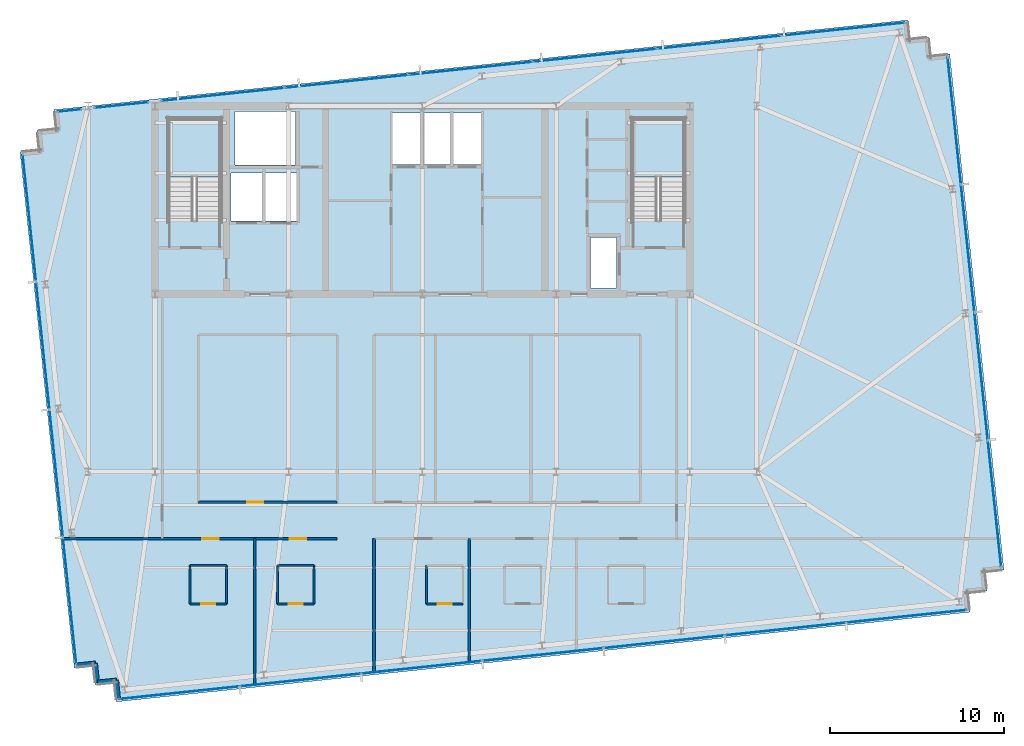
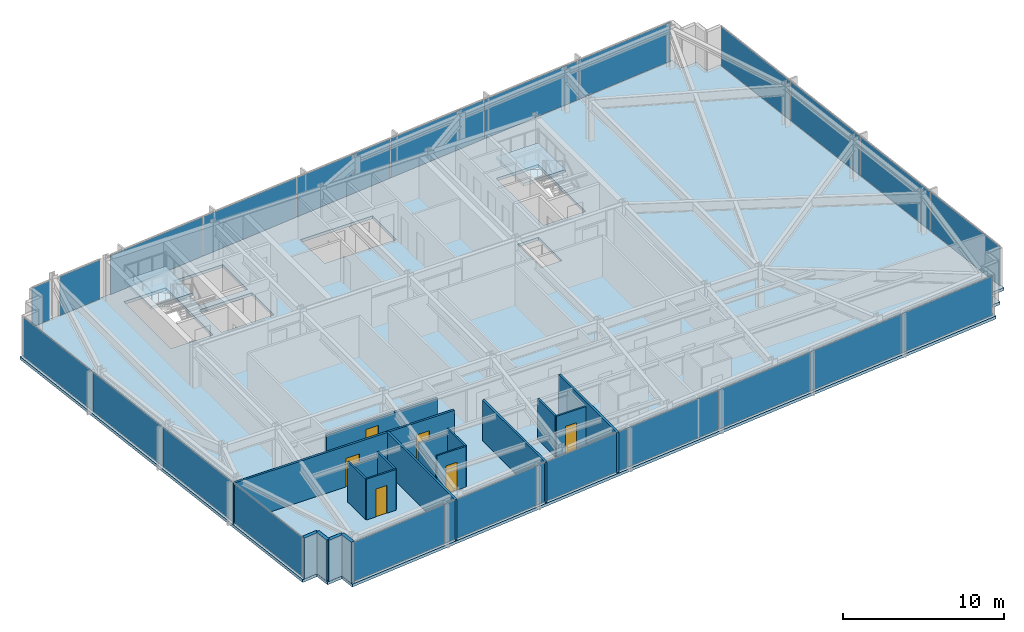
# One storey, part 26 of 33: 23 plates, 19 walls, 6 doors, 3 slabs, 6 openings, 8 elements without a shape of their own.
"""IFC4 building model written with IfcOpenShell, lengths in metres."""

from ifc_helpers import new_model, si_unit, direction, frame, frame_2d, origin, origin_2d, place, context, subcontext, project, spatial, polyline, rectangle, outline, extrude, material, layer, layer_set, type_object, element, fill, aggregate, save


model = new_model("IFC4")

# Units and contexts
model_context = context("Model", 3, precision=1e-05, world=origin(), true_north=direction((0.0, 1.0)))
body_context = subcontext(model_context, "Body", "Model", "MODEL_VIEW")
ifc_project = project(units=[si_unit("LENGTHUNIT", "METRE"), si_unit("AREAUNIT", "SQUARE_METRE"), si_unit("VOLUMEUNIT", "CUBIC_METRE"), si_unit("PLANEANGLEUNIT", "RADIAN"), si_unit("MASSUNIT", "GRAM", prefix="KILO")], contexts=[model_context])

# Site, building, storey
site_placement = place(None, origin())
site = spatial("IfcSite", under=ifc_project, at=site_placement, CompositionType="ELEMENT")
building_placement = place(site_placement, origin())
building = spatial("IfcBuilding", under=site, at=building_placement, Name="Yelkora Congress Tower", CompositionType="ELEMENT")
storey_placement = place(building_placement, frame((0.0, 0.0, 230.89990234375)))
storey = spatial("IfcBuildingStorey", under=building, at=storey_placement, Name="L64", CompositionType="ELEMENT", Elevation=230.89990234375)

# Curtain wall, plates
ifc_material_1 = material(Name="Anodised aluminium and insulated glass", Category="aluminium")
curtain_wall_type = type_object("IfcCurtainWallType", Name="CW-SYS-B4", PredefinedType="NOTDEFINED", material=ifc_material_1)
curtain_wall_1_placement = place(storey_placement, origin())
curtain_wall_1 = element("IfcCurtainWall", 1, at=curtain_wall_1_placement, inside=storey, type_object=curtain_wall_type, Name="L64 Unitised Curtain Wall 5", PredefinedType="NOTDEFINED")
ifc_material_2 = material(Name="Triple-silver diplomatic glass unit B4", Category="glass")
ifc_layer_1 = layer(ifc_material_2, 0.035888671875)
ifc_layer_set_1 = layer_set([ifc_layer_1], Name="Triple-silver diplomatic glass unit B4")
plate_type = type_object("IfcPlateType", Name="PLT-PN-B4", PredefinedType="CURTAIN_PANEL", material=ifc_layer_set_1)
plate_1_placement = place(storey_placement, frame((18.139404296875, 17.7724609375, 0.06005859375), z_axis=(0.0, 0.0, 1.0), x_axis=(-0.104526079034, 0.994522145958, 0.0)))
plate_1 = element("IfcPlate", 2, at=plate_1_placement, type_object=plate_type, Name="CW-B4 panel 1.1", PredefinedType="CURTAIN_PANEL", context=body_context, shape_type="SweptSolid", body=[
    extrude(rectangle(XDim=7.282470703125, YDim=0.035888671875, at=origin_2d()), origin(), (0.0, 0.0, 1.0), 2.9599609375),
])
plate_2_placement = place(storey_placement, frame((17.36962890625, 25.095703125, 0.06005859375), z_axis=(0.0, 0.0, 1.0), x_axis=(-0.104526079034, 0.994522145958, 0.0)))
plate_2 = element("IfcPlate", 3, at=plate_2_placement, type_object=plate_type, Name="CW-B4 panel 2.1", PredefinedType="CURTAIN_PANEL", context=body_context, shape_type="SweptSolid", body=[
    extrude(rectangle(XDim=7.31494140625, YDim=0.035888671875, at=origin_2d()), origin(), (0.0, 0.0, 1.0), 2.9599609375),
])
plate_3_placement = place(storey_placement, frame((16.59814453125, 32.435302734375, 0.06005859375), z_axis=(0.0, 0.0, 1.0), x_axis=(-0.104526079034, 0.994522145958, 0.0)))
plate_3 = element("IfcPlate", 4, at=plate_3_placement, type_object=plate_type, Name="CW-B4 panel 3.1", PredefinedType="CURTAIN_PANEL", context=body_context, shape_type="SweptSolid", body=[
    extrude(rectangle(XDim=7.31494140625, YDim=0.035888671875, at=origin_2d()), origin(), (0.0, 0.0, 1.0), 2.9599609375),
])
plate_4_placement = place(storey_placement, frame((15.82861328125, 39.7587890625, 0.06005859375), z_axis=(0.0, 0.0, 1.0), x_axis=(-0.104526079034, 0.994522145958, 0.0)))
plate_4 = element("IfcPlate", 5, at=plate_4_placement, type_object=plate_type, Name="CW-B4 panel 4.1", PredefinedType="CURTAIN_PANEL", context=body_context, shape_type="SweptSolid", body=[
    extrude(rectangle(XDim=7.282470703125, YDim=0.035888671875, at=origin_2d()), origin(), (0.0, 0.0, 1.0), 2.9599609375),
])
aggregate(curtain_wall_1, [plate_1, plate_2, plate_3, plate_4])

# Curtain wall, plate
curtain_wall_2_placement = place(storey_placement, origin())
curtain_wall_2 = element("IfcCurtainWall", 6, at=curtain_wall_2_placement, inside=storey, type_object=curtain_wall_type, Name="L64 Unitised Curtain Wall 10 (1)", PredefinedType="NOTDEFINED")
plate_5_placement = place(storey_placement, frame((18.136474609375, 45.940185546875, 0.06005859375), z_axis=(0.0, 0.0, 1.0), x_axis=(0.994523910137, 0.104509292244, 0.0)))
plate_5 = element("IfcPlate", 7, at=plate_5_placement, type_object=plate_type, Name="CW-B4 panel 1.1", PredefinedType="CURTAIN_PANEL", context=body_context, shape_type="SweptSolid", body=[
    extrude(rectangle(XDim=1.35302734375, YDim=0.035888671875, at=origin_2d()), origin(), (0.0, 0.0, 1.0), 2.9599609375),
])
aggregate(curtain_wall_2, [plate_5])

curtain_wall_3_placement = place(storey_placement, origin())
curtain_wall_3 = element("IfcCurtainWall", 8, at=curtain_wall_3_placement, inside=storey, type_object=curtain_wall_type, Name="L64 Unitised Curtain Wall 10 (2)", PredefinedType="NOTDEFINED")
plate_6_placement = place(storey_placement, frame((21.1201171875, 46.253662109375, 0.06005859375), z_axis=(0.0, 0.0, 1.0), x_axis=(0.994524239868, 0.104506154437, 0.0)))
plate_6 = element("IfcPlate", 9, at=plate_6_placement, type_object=plate_type, Name="CW-B4 panel 1.1", PredefinedType="CURTAIN_PANEL", context=body_context, shape_type="SweptSolid", body=[
    extrude(rectangle(XDim=3.075439453125, YDim=0.035888671875, at=origin_2d()), origin(), (0.0, 0.0, 1.0), 2.9599609375),
])
aggregate(curtain_wall_3, [plate_6])

# Curtain wall, plates
curtain_wall_4_placement = place(storey_placement, origin())
curtain_wall_4 = element("IfcCurtainWall", 10, at=curtain_wall_4_placement, inside=storey, type_object=curtain_wall_type, Name="L64 Unitised Curtain Wall 10 (3)", PredefinedType="NOTDEFINED")
plate_7_placement = place(storey_placement, frame((26.947509765625, 46.8662109375, 0.06005859375), z_axis=(0.0, 0.0, 1.0), x_axis=(0.994521973066, 0.104527724021, 0.0)))
plate_7 = element("IfcPlate", 11, at=plate_7_placement, type_object=plate_type, Name="CW-B4 panel 1.1", PredefinedType="CURTAIN_PANEL", context=body_context, shape_type="SweptSolid", body=[
    extrude(rectangle(XDim=7.072509765625, YDim=0.035888671875, at=origin_2d()), origin(), (0.0, 0.0, 1.0), 2.9599609375),
])
plate_8_placement = place(storey_placement, frame((34.06201171875, 47.614013671875, 0.06005859375), z_axis=(0.0, 0.0, 1.0), x_axis=(0.994521973066, 0.104527724021, 0.0)))
plate_8 = element("IfcPlate", 12, at=plate_8_placement, type_object=plate_type, Name="CW-B4 panel 2.1", PredefinedType="CURTAIN_PANEL", context=body_context, shape_type="SweptSolid", body=[
    extrude(rectangle(XDim=7.10498046875, YDim=0.035888671875, at=origin_2d()), origin(), (0.0, 0.0, 1.0), 2.9599609375),
])
plate_9_placement = place(storey_placement, frame((41.19287109375, 48.363525390625, 0.06005859375), z_axis=(0.0, 0.0, 1.0), x_axis=(0.994521973066, 0.104527724021, 0.0)))
plate_9 = element("IfcPlate", 13, at=plate_9_placement, type_object=plate_type, Name="CW-B4 panel 3.1", PredefinedType="CURTAIN_PANEL", context=body_context, shape_type="SweptSolid", body=[
    extrude(rectangle(XDim=7.10498046875, YDim=0.035888671875, at=origin_2d()), origin(), (0.0, 0.0, 1.0), 2.9599609375),
])
plate_10_placement = place(storey_placement, frame((48.32373046875, 49.113037109375, 0.06005859375), z_axis=(0.0, 0.0, 1.0), x_axis=(0.994521973066, 0.104527724021, 0.0)))
plate_10 = element("IfcPlate", 14, at=plate_10_placement, type_object=plate_type, Name="CW-B4 panel 4.1", PredefinedType="CURTAIN_PANEL", context=body_context, shape_type="SweptSolid", body=[
    extrude(rectangle(XDim=7.10498046875, YDim=0.035888671875, at=origin_2d()), origin(), (0.0, 0.0, 1.0), 2.9599609375),
])
plate_11_placement = place(storey_placement, frame((55.454345703125, 49.8623046875, 0.06005859375), z_axis=(0.0, 0.0, 1.0), x_axis=(0.994521973066, 0.104527724021, 0.0)))
plate_11 = element("IfcPlate", 15, at=plate_11_placement, type_object=plate_type, Name="CW-B4 panel 5.1", PredefinedType="CURTAIN_PANEL", context=body_context, shape_type="SweptSolid", body=[
    extrude(rectangle(XDim=7.10498046875, YDim=0.035888671875, at=origin_2d()), origin(), (0.0, 0.0, 1.0), 2.9599609375),
])
plate_12_placement = place(storey_placement, frame((62.56884765625, 50.610107421875, 0.06005859375), z_axis=(0.0, 0.0, 1.0), x_axis=(0.994521973066, 0.104527724021, 0.0)))
plate_12 = element("IfcPlate", 16, at=plate_12_placement, type_object=plate_type, Name="CW-B4 panel 6.1", PredefinedType="CURTAIN_PANEL", context=body_context, shape_type="SweptSolid", body=[
    extrude(rectangle(XDim=7.072509765625, YDim=0.035888671875, at=origin_2d()), origin(), (0.0, 0.0, 1.0), 2.9599609375),
])
aggregate(curtain_wall_4, [plate_7, plate_8, plate_9, plate_10, plate_11, plate_12])

curtain_wall_5_placement = place(storey_placement, origin())
curtain_wall_5 = element("IfcCurtainWall", 17, at=curtain_wall_5_placement, inside=storey, type_object=curtain_wall_type, Name="L64 Unitised Curtain Wall 15", PredefinedType="NOTDEFINED")
plate_13_placement = place(storey_placement, frame((68.955810546875, 45.3427734375, 0.06005859375), z_axis=(0.0, 0.0, 1.0), x_axis=(0.104525726898, -0.994522182968, 0.0)))
plate_13 = element("IfcPlate", 18, at=plate_13_placement, type_object=plate_type, Name="CW-B4 panel 1.1", PredefinedType="CURTAIN_PANEL", context=body_context, shape_type="SweptSolid", body=[
    extrude(rectangle(XDim=7.282470703125, YDim=0.035888671875, at=origin_2d()), origin(), (0.0, 0.0, 1.0), 2.9599609375),
])
plate_14_placement = place(storey_placement, frame((69.7255859375, 38.019287109375, 0.06005859375), z_axis=(0.0, 0.0, 1.0), x_axis=(0.104525726898, -0.994522182968, 0.0)))
plate_14 = element("IfcPlate", 19, at=plate_14_placement, type_object=plate_type, Name="CW-B4 panel 2.1", PredefinedType="CURTAIN_PANEL", context=body_context, shape_type="SweptSolid", body=[
    extrude(rectangle(XDim=7.31494140625, YDim=0.035888671875, at=origin_2d()), origin(), (0.0, 0.0, 1.0), 2.9599609375),
])
plate_15_placement = place(storey_placement, frame((70.496826171875, 30.6796875, 0.06005859375), z_axis=(0.0, 0.0, 1.0), x_axis=(0.104525726898, -0.994522182968, 0.0)))
plate_15 = element("IfcPlate", 20, at=plate_15_placement, type_object=plate_type, Name="CW-B4 panel 3.1", PredefinedType="CURTAIN_PANEL", context=body_context, shape_type="SweptSolid", body=[
    extrude(rectangle(XDim=7.31494140625, YDim=0.035888671875, at=origin_2d()), origin(), (0.0, 0.0, 1.0), 2.9599609375),
])
plate_16_placement = place(storey_placement, frame((71.2666015625, 23.356201171875, 0.06005859375), z_axis=(0.0, 0.0, 1.0), x_axis=(0.104525726898, -0.994522182968, 0.0)))
plate_16 = element("IfcPlate", 21, at=plate_16_placement, type_object=plate_type, Name="CW-B4 panel 4.1", PredefinedType="CURTAIN_PANEL", context=body_context, shape_type="SweptSolid", body=[
    extrude(rectangle(XDim=7.282470703125, YDim=0.035888671875, at=origin_2d()), origin(), (0.0, 0.0, 1.0), 2.9599609375),
])
aggregate(curtain_wall_5, [plate_13, plate_14, plate_15, plate_16])

curtain_wall_6_placement = place(storey_placement, origin())
curtain_wall_6 = element("IfcCurtainWall", 22, at=curtain_wall_6_placement, inside=storey, type_object=curtain_wall_type, Name="L64 Unitised Curtain Wall 20", PredefinedType="NOTDEFINED")
plate_17_placement = place(storey_placement, frame((66.19775390625, 16.884765625, 0.06005859375), z_axis=(0.0, 0.0, 1.0), x_axis=(-0.994522084373, -0.104526664994, 0.0)))
plate_17 = element("IfcPlate", 23, at=plate_17_placement, type_object=plate_type, Name="CW-B4 panel 1.1", PredefinedType="CURTAIN_PANEL", context=body_context, shape_type="SweptSolid", body=[
    extrude(rectangle(XDim=6.9052734375, YDim=0.035888671875, at=origin_2d()), origin(), (0.0, 0.0, 1.0), 2.9599609375),
])
plate_18_placement = place(storey_placement, frame((59.249267578125, 16.154541015625, 0.06005859375), z_axis=(0.0, 0.0, 1.0), x_axis=(-0.994522084373, -0.104526664994, 0.0)))
plate_18 = element("IfcPlate", 24, at=plate_18_placement, type_object=plate_type, Name="CW-B4 panel 2.1", PredefinedType="CURTAIN_PANEL", context=body_context, shape_type="SweptSolid", body=[
    extrude(rectangle(XDim=6.937744140625, YDim=0.035888671875, at=origin_2d()), origin(), (0.0, 0.0, 1.0), 2.9599609375),
])
plate_19_placement = place(storey_placement, frame((52.284912109375, 15.42236328125, 0.06005859375), z_axis=(0.0, 0.0, 1.0), x_axis=(-0.994522084373, -0.104526664994, 0.0)))
plate_19 = element("IfcPlate", 25, at=plate_19_placement, type_object=plate_type, Name="CW-B4 panel 3.1", PredefinedType="CURTAIN_PANEL", context=body_context, shape_type="SweptSolid", body=[
    extrude(rectangle(XDim=6.937744140625, YDim=0.035888671875, at=origin_2d()), origin(), (0.0, 0.0, 1.0), 2.9599609375),
])
plate_20_placement = place(storey_placement, frame((45.3203125, 14.6904296875, 0.06005859375), z_axis=(0.0, 0.0, 1.0), x_axis=(-0.994522084373, -0.104526664994, 0.0)))
plate_20 = element("IfcPlate", 26, at=plate_20_placement, type_object=plate_type, Name="CW-B4 panel 4.1", PredefinedType="CURTAIN_PANEL", context=body_context, shape_type="SweptSolid", body=[
    extrude(rectangle(XDim=6.937744140625, YDim=0.035888671875, at=origin_2d()), origin(), (0.0, 0.0, 1.0), 2.9599609375),
])
plate_21_placement = place(storey_placement, frame((38.35595703125, 13.95849609375, 0.06005859375), z_axis=(0.0, 0.0, 1.0), x_axis=(-0.994522084373, -0.104526664994, 0.0)))
plate_21 = element("IfcPlate", 27, at=plate_21_placement, type_object=plate_type, Name="CW-B4 panel 5.1", PredefinedType="CURTAIN_PANEL", context=body_context, shape_type="SweptSolid", body=[
    extrude(rectangle(XDim=6.937744140625, YDim=0.035888671875, at=origin_2d()), origin(), (0.0, 0.0, 1.0), 2.9599609375),
])
plate_22_placement = place(storey_placement, frame((31.391357421875, 13.2265625, 0.06005859375), z_axis=(0.0, 0.0, 1.0), x_axis=(-0.994522084373, -0.104526664994, 0.0)))
plate_22 = element("IfcPlate", 28, at=plate_22_placement, type_object=plate_type, Name="CW-B4 panel 6.1", PredefinedType="CURTAIN_PANEL", context=body_context, shape_type="SweptSolid", body=[
    extrude(rectangle(XDim=6.937744140625, YDim=0.035888671875, at=origin_2d()), origin(), (0.0, 0.0, 1.0), 2.9599609375),
])
plate_23_placement = place(storey_placement, frame((24.443115234375, 12.49609375, 0.06005859375), z_axis=(0.0, 0.0, 1.0), x_axis=(-0.994522084373, -0.104526664994, 0.0)))
plate_23 = element("IfcPlate", 29, at=plate_23_placement, type_object=plate_type, Name="CW-B4 panel 7.1", PredefinedType="CURTAIN_PANEL", context=body_context, shape_type="SweptSolid", body=[
    extrude(rectangle(XDim=6.9052734375, YDim=0.035888671875, at=origin_2d()), origin(), (0.0, 0.0, 1.0), 2.9599609375),
])
aggregate(curtain_wall_6, [plate_17, plate_18, plate_19, plate_20, plate_21, plate_22, plate_23])

# Stair, slab
ifc_material_3 = material(Name="Concrete C40/50", Category="concrete")
stair_type = type_object("IfcStairType", Name="STAIR-HT-1420-R20-165", PredefinedType="HALF_TURN_STAIR", material=ifc_material_3)
stair_1_placement = place(storey_placement, origin())
stair_1 = element("IfcStair", 30, at=stair_1_placement, inside=storey, type_object=stair_type, Name="West Core Protected Exit Stair ST-01 (L64)", PredefinedType="HALF_TURN_STAIR")
ifc_layer_2 = layer(ifc_material_3, 0.219970703125)
ifc_layer_set_2 = layer_set([ifc_layer_2], Name="Concrete C40/50")
slab_type_1 = type_object("IfcSlabType", Name="SLAB-LANDING-220", PredefinedType="LANDING", material=ifc_layer_set_2)
slab_1_placement = place(storey_placement, frame((0.0, 0.0, 1.43017578125)))
slab_1 = element("IfcSlab", 31, at=slab_1_placement, type_object=slab_type_1, Name="ST-01 L64 Half Landing 1", PredefinedType="LANDING", context=body_context, shape_type="SweptSolid", body=[
    extrude(outline(polyline([(26.820068359375, 42.1201171875), (26.820068359375, 45.469970703125), (23.820068359375, 45.469970703125), (23.820068359375, 42.1201171875), (26.820068359375, 42.1201171875)])), origin(), (0.0, 0.0, 1.0), 0.219970703125),
])
aggregate(stair_1, [slab_1])

stair_2_placement = place(storey_placement, origin())
stair_2 = element("IfcStair", 32, at=stair_2_placement, inside=storey, type_object=stair_type, Name="East Core Protected Exit Stair ST-02 (L64)", PredefinedType="HALF_TURN_STAIR")
slab_2_placement = place(storey_placement, frame((0.0, 0.0, 1.43017578125)))
slab_2 = element("IfcSlab", 33, at=slab_2_placement, type_object=slab_type_1, Name="ST-02 L64 Half Landing 1", PredefinedType="LANDING", context=body_context, shape_type="SweptSolid", body=[
    extrude(outline(polyline([(53.4599609375, 42.1201171875), (53.4599609375, 45.469970703125), (50.4599609375, 45.469970703125), (50.4599609375, 42.1201171875), (53.4599609375, 42.1201171875)])), origin(), (0.0, 0.0, 1.0), 0.219970703125),
])
aggregate(stair_2, [slab_2])

# Slab
ifc_layer_3 = layer(ifc_material_3, 0.219970703125)
ifc_layer_set_3 = layer_set([ifc_layer_3], Name="Concrete C40/50")
slab_type_2 = type_object("IfcSlabType", Name="SLAB-TWR-220", PredefinedType="FLOOR", material=ifc_layer_set_3)
slab_3_placement = place(storey_placement, frame((0.0, 0.0, -0.219970703125)))
element("IfcSlab", 34, at=slab_3_placement, inside=storey, type_object=slab_type_2, Name="L64 Structural Floor Slab", PredefinedType="FLOOR", context=body_context, shape_type="SweptSolid", body=[
    extrude(outline(polyline([(20.820068359375, 11.974609375), (69.85009765625, 17.127685546875), (69.735107421875, 18.2216796875), (70.828857421875, 18.3369140625), (70.714111328125, 19.430908203125), (71.807861328125, 19.545654296875), (68.693115234375, 49.1826171875), (67.59912109375, 49.0673828125), (67.48388671875, 50.16162109375), (66.39013671875, 50.04638671875), (66.275146484375, 51.140380859375), (17.2451171875, 45.9873046875), (17.360107421875, 44.893310546875), (16.26611328125, 44.7783203125), (16.381103515625, 43.684326171875), (15.287109375, 43.5693359375), (18.402099609375, 13.9326171875), (19.49609375, 14.047607421875), (19.611083984375, 12.95361328125), (20.705078125, 13.068603515625), (20.820068359375, 11.974609375)]), holes=[polyline([(23.820068359375, 39.6298828125), (26.820068359375, 39.6298828125), (26.820068359375, 45.469970703125), (23.820068359375, 45.469970703125), (23.820068359375, 39.6298828125)]), polyline([(50.4599609375, 39.6298828125), (53.4599609375, 39.6298828125), (53.4599609375, 45.469970703125), (50.4599609375, 45.469970703125), (50.4599609375, 39.6298828125)]), polyline([(48.050048828125, 35.75), (49.550048828125, 35.75), (49.550048828125, 38.64990234375), (48.050048828125, 38.64990234375), (48.050048828125, 35.75)]), polyline([(36.64990234375, 42.85009765625), (41.800048828125, 42.85009765625), (41.800048828125, 45.800048828125), (36.64990234375, 45.800048828125), (36.64990234375, 42.85009765625)]), polyline([(27.419921875, 39.60009765625), (31.179931640625, 39.60009765625), (31.179931640625, 42.35009765625), (27.419921875, 42.35009765625), (27.419921875, 39.60009765625)]), polyline([(27.64990234375, 42.820068359375), (31.1201171875, 42.820068359375), (31.1201171875, 45.8798828125), (27.64990234375, 45.8798828125), (27.64990234375, 42.820068359375)])]), origin(), (0.0, 0.0, 1.0), 0.219970703125),
])

# Walls
ifc_layer_4 = layer(ifc_material_3, 0.239990234375)
ifc_layer_set_4 = layer_set([ifc_layer_4], Name="Concrete C40/50")
wall_type_1 = type_object("IfcWallType", Name="WALL-EXT-LIMESTONE-240", PredefinedType="SOLIDWALL", material=ifc_layer_set_4)
for number, where, z_axis, x_axis, name in (
    (35, (20.944580078125, 12.12841796875, 0.0), (0.0, 0.0, 1.0), (-0.104534592565, 0.994521251134, 0.0), "L64 Serrated Corner Limestone Pier 1"),
    (36, (20.82958984375, 13.222412109375, 0.0), (0.0, 0.0, 1.0), (-0.994521251134, -0.104534592565, 0.0), "L64 Serrated Corner Limestone Pier 2"),
    (37, (19.735595703125, 13.107421875, 0.0), (0.0, 0.0, 1.0), (-0.104534592565, 0.994521251134, 0.0), "L64 Serrated Corner Limestone Pier 3"),
    (38, (19.62060546875, 14.201416015625, 0.0), (0.0, 0.0, 1.0), (-0.994521251134, -0.104534592565, 0.0), "L64 Serrated Corner Limestone Pier 4"),
):
    element("IfcWall", number, at=place(storey_placement, frame(where, z_axis=z_axis, x_axis=x_axis)), inside=storey, type_object=wall_type_1, Name=name, PredefinedType="SOLIDWALL", context=body_context, shape_type="SweptSolid", body=[
        extrude(rectangle(XDim=1.10009765625, YDim=0.239990234375, at=frame_2d((0.550048828125, 0.0))), origin(), (0.0, 0.0, 1.0), 3.080078125),
    ])
ifc_material_4 = material(Name="Moisture-resistant gypsum partition", Category="gypsum")
ifc_layer_5 = layer(ifc_material_4, 0.1201171875)
ifc_layer_set_5 = layer_set([ifc_layer_5], Name="Moisture-resistant gypsum partition")
wall_type_2 = type_object("IfcWallType", Name="WALL-INT-120-NR", PredefinedType="PARTITIONING", material=ifc_layer_set_5)
wall_1_placement = place(storey_placement, frame((25.06005859375, 19.800048828125, 0.0), z_axis=(0.0, 0.0, 1.0), x_axis=(1.0, 0.0, 0.0)))
element("IfcWall", 39, at=wall_1_placement, inside=storey, type_object=wall_type_2, Name="L64 Partition Wall 24", PredefinedType="PARTITIONING", context=body_context, shape_type="SweptSolid", body=[
    extrude(rectangle(XDim=2.099853515625, YDim=0.1201171875, at=frame_2d((1.0498046875, 0.0))), origin(), (0.0, 0.0, 1.0), 2.715087890625),
])
for number, where, z_axis, x_axis, name in (
    (40, (25.06005859375, 17.60009765625, 0.0), (0.0, 0.0, 1.0), (0.0, 1.0, 0.0), "L64 Partition Wall 25"),
    (41, (27.159912109375, 17.60009765625, 0.0), (0.0, 0.0, 1.0), (0.0, 1.0, 0.0), "L64 Partition Wall 26"),
):
    element("IfcWall", number, at=place(storey_placement, frame(where, z_axis=z_axis, x_axis=x_axis)), inside=storey, type_object=wall_type_2, Name=name, PredefinedType="PARTITIONING", context=body_context, shape_type="SweptSolid", body=[
        extrude(rectangle(XDim=2.199951171875, YDim=0.1201171875, at=frame_2d((1.10009765625, 0.0))), origin(), (0.0, 0.0, 1.0), 3.080078125),
    ])

# Wall, opening, door
wall_2_placement = place(storey_placement, frame((25.06005859375, 17.60009765625, 0.0), z_axis=(0.0, 0.0, 1.0), x_axis=(1.0, 0.0, 0.0)))
wall_2 = element("IfcWall", 42, at=wall_2_placement, inside=storey, type_object=wall_type_2, Name="L64 Partition Wall 27", PredefinedType="PARTITIONING", context=body_context, shape_type="SweptSolid", body=[
    extrude(rectangle(XDim=2.099853515625, YDim=0.1201171875, at=frame_2d((1.0498046875, 0.0))), origin(), (0.0, 0.0, 1.0), 3.080078125),
])
opening_1_placement = place(wall_2_placement, frame((0.64990234375, 0.0, 0.0)))
opening_1 = element("IfcOpeningElement", 43, at=opening_1_placement, cuts=wall_2, Name="Opening DR-080B", PredefinedType="OPENING", context=body_context, shape_type="SweptSolid", body=[
    extrude(rectangle(XDim=0.800048828125, YDim=2.10009765625, at=frame_2d((0.39990234375, 1.050048828125))), frame((0.0, 0.070068359375, 0.0), z_axis=(0.0, -1.0, 0.0), x_axis=(1.0, 0.0, 0.0)), (0.0, 0.0, 1.0), 0.14013671875),
])
ifc_material_5 = material(Name="Moisture-sealed en-suite timber door", Category="wood")
door_type_1 = type_object("IfcDoorType", Name="DOOR-BATH-800", OperationType="NOTDEFINED", PredefinedType="DOOR", material=ifc_material_5)
door_1_placement = place(opening_1_placement, origin())
door_1 = element("IfcDoor", 44, at=door_1_placement, inside=storey, type_object=door_type_1, Name="L64 En-suite Door 1", OperationType="SINGLE_SWING_LEFT", OverallHeight=2.10009765625, OverallWidth=0.800048828125, PredefinedType="DOOR", context=body_context, shape_type="SweptSolid", body=[
    extrude(rectangle(XDim=0.800048828125, YDim=2.10009765625, at=frame_2d((0.39990234375, 1.050048828125))), frame((0.0, 0.02490234375, 0.0), z_axis=(0.0, -1.0, 0.0), x_axis=(1.0, 0.0, 0.0)), (0.0, 0.0, 1.0), 0.050048828125),
])
fill(opening_1, door_1)

# Walls
wall_3_placement = place(storey_placement, frame((30.080078125, 19.800048828125, 0.0), z_axis=(0.0, 0.0, 1.0), x_axis=(1.0, 0.0, 0.0)))
element("IfcWall", 45, at=wall_3_placement, inside=storey, type_object=wall_type_2, Name="L64 Partition Wall 28", PredefinedType="PARTITIONING", context=body_context, shape_type="SweptSolid", body=[
    extrude(rectangle(XDim=2.099853515625, YDim=0.1201171875, at=frame_2d((1.0498046875, 0.0))), origin(), (0.0, 0.0, 1.0), 2.715087890625),
])
wall_4_placement = place(storey_placement, frame((30.080078125, 17.60009765625, 0.0), z_axis=(0.0, 0.0, 1.0), x_axis=(0.0, 1.0, 0.0)))
element("IfcWall", 46, at=wall_4_placement, inside=storey, type_object=wall_type_2, Name="L64 Partition Wall 29", PredefinedType="PARTITIONING", context=body_context, shape_type="SweptSolid", body=[
    extrude(rectangle(XDim=2.199951171875, YDim=0.1201171875, at=frame_2d((1.10009765625, 0.0))), origin(), (0.0, 0.0, 1.0), 2.31298828125),
])
wall_5_placement = place(storey_placement, frame((32.179931640625, 17.60009765625, 0.0), z_axis=(0.0, 0.0, 1.0), x_axis=(0.0, 1.0, 0.0)))
element("IfcWall", 47, at=wall_5_placement, inside=storey, type_object=wall_type_2, Name="L64 Partition Wall 30", PredefinedType="PARTITIONING", context=body_context, shape_type="SweptSolid", body=[
    extrude(rectangle(XDim=2.199951171875, YDim=0.1201171875, at=frame_2d((1.10009765625, 0.0))), origin(), (0.0, 0.0, 1.0), 3.080078125),
])

# Wall, opening, door
wall_6_placement = place(storey_placement, frame((30.080078125, 17.60009765625, 0.0), z_axis=(0.0, 0.0, 1.0), x_axis=(1.0, 0.0, 0.0)))
wall_6 = element("IfcWall", 48, at=wall_6_placement, inside=storey, type_object=wall_type_2, Name="L64 Partition Wall 31", PredefinedType="PARTITIONING", context=body_context, shape_type="SweptSolid", body=[
    extrude(rectangle(XDim=2.099853515625, YDim=0.1201171875, at=frame_2d((1.0498046875, 0.0))), origin(), (0.0, 0.0, 1.0), 3.080078125),
])
opening_2_placement = place(wall_6_placement, frame((0.64990234375, 0.0, 0.0)))
opening_2 = element("IfcOpeningElement", 49, at=opening_2_placement, cuts=wall_6, Name="Opening DR-080B", PredefinedType="OPENING", context=body_context, shape_type="SweptSolid", body=[
    extrude(rectangle(XDim=0.800048828125, YDim=2.10009765625, at=frame_2d((0.39990234375, 1.050048828125))), frame((0.0, 0.070068359375, 0.0), z_axis=(0.0, -1.0, 0.0), x_axis=(1.0, 0.0, 0.0)), (0.0, 0.0, 1.0), 0.14013671875),
])
door_2_placement = place(opening_2_placement, origin())
door_2 = element("IfcDoor", 50, at=door_2_placement, inside=storey, type_object=door_type_1, Name="L64 En-suite Door 2", OperationType="SINGLE_SWING_RIGHT", OverallHeight=2.10009765625, OverallWidth=0.800048828125, PredefinedType="DOOR", context=body_context, shape_type="SweptSolid", body=[
    extrude(rectangle(XDim=0.800048828125, YDim=2.10009765625, at=frame_2d((0.39990234375, 1.050048828125))), frame((0.0, 0.02490234375, 0.0), z_axis=(0.0, -1.0, 0.0), x_axis=(1.0, 0.0, 0.0)), (0.0, 0.0, 1.0), 0.050048828125),
])
fill(opening_2, door_2)

# Wall
wall_7_placement = place(storey_placement, frame((38.632080078125, 17.60009765625, 0.0), z_axis=(0.0, 0.0, 1.0), x_axis=(0.0, 1.0, 0.0)))
element("IfcWall", 51, at=wall_7_placement, inside=storey, type_object=wall_type_2, Name="L64 Partition Wall 34", PredefinedType="PARTITIONING", context=body_context, shape_type="SweptSolid", body=[
    extrude(rectangle(XDim=2.199951171875, YDim=0.1201171875, at=frame_2d((1.10009765625, 0.0))), origin(), (0.0, 0.0, 1.0), 3.080078125),
])

# Wall, opening, door
wall_8_placement = place(storey_placement, frame((38.632080078125, 17.60009765625, 0.0), z_axis=(0.0, 0.0, 1.0), x_axis=(1.0, 0.0, 0.0)))
wall_8 = element("IfcWall", 52, at=wall_8_placement, inside=storey, type_object=wall_type_2, Name="L64 Partition Wall 36", PredefinedType="PARTITIONING", context=body_context, shape_type="SweptSolid", body=[
    extrude(rectangle(XDim=2.099853515625, YDim=0.1201171875, at=frame_2d((1.0498046875, 0.0))), origin(), (0.0, 0.0, 1.0), 3.080078125),
])
opening_3_placement = place(wall_8_placement, frame((0.64990234375, 0.0, 0.0)))
opening_3 = element("IfcOpeningElement", 53, at=opening_3_placement, cuts=wall_8, Name="Opening DR-080B", PredefinedType="OPENING", context=body_context, shape_type="SweptSolid", body=[
    extrude(rectangle(XDim=0.800048828125, YDim=2.10009765625, at=frame_2d((0.39990234375, 1.050048828125))), frame((0.0, 0.070068359375, 0.0), z_axis=(0.0, -1.0, 0.0), x_axis=(1.0, 0.0, 0.0)), (0.0, 0.0, 1.0), 0.14013671875),
])
door_3_placement = place(opening_3_placement, origin())
door_3 = element("IfcDoor", 54, at=door_3_placement, inside=storey, type_object=door_type_1, Name="L64 En-suite Door 4", OperationType="SINGLE_SWING_LEFT", OverallHeight=2.10009765625, OverallWidth=0.800048828125, PredefinedType="DOOR", context=body_context, shape_type="SweptSolid", body=[
    extrude(rectangle(XDim=0.800048828125, YDim=2.10009765625, at=frame_2d((0.39990234375, 1.050048828125))), frame((0.0, 0.02490234375, 0.0), z_axis=(0.0, -1.0, 0.0), x_axis=(1.0, 0.0, 0.0)), (0.0, 0.0, 1.0), 0.050048828125),
])
fill(opening_3, door_3)

ifc_material_6 = material(Name="Acoustic metal-stud gypsum partition", Category="gypsum")
ifc_layer_6 = layer(ifc_material_6, 0.14990234375)
ifc_layer_set_6 = layer_set([ifc_layer_6], Name="Acoustic metal-stud gypsum partition")
wall_type_3 = type_object("IfcWallType", Name="WALL-INT-150-NR", PredefinedType="PARTITIONING", material=ifc_layer_set_6)
wall_9_placement = place(storey_placement, frame((25.550048828125, 23.429931640625, 0.0), z_axis=(0.0, 0.0, 1.0), x_axis=(1.0, 0.0, 0.0)))
wall_9 = element("IfcWall", 55, at=wall_9_placement, inside=storey, type_object=wall_type_3, Name="L64 Partition Wall 58", PredefinedType="PARTITIONING", context=body_context, shape_type="SweptSolid", body=[
    extrude(rectangle(XDim=7.93994140625, YDim=0.14990234375, at=frame_2d((3.969970703125, 0.0))), origin(), (0.0, 0.0, 1.0), 2.715087890625),
])
opening_4_placement = place(wall_9_placement, frame((2.802490234375, 0.0, 0.0)))
opening_4 = element("IfcOpeningElement", 56, at=opening_4_placement, cuts=wall_9, Name="Opening DR-090N", PredefinedType="OPENING", context=body_context, shape_type="SweptSolid", body=[
    extrude(rectangle(XDim=0.89990234375, YDim=2.14990234375, at=frame_2d((0.449951171875, 1.074951171875))), frame((0.0, 0.0849609375, 0.0), z_axis=(0.0, -1.0, 0.0), x_axis=(1.0, 0.0, 0.0)), (0.0, 0.0, 1.0), 0.169921875),
])
ifc_material_7 = material(Name="Moisture-resistant laminate door leaf", Category="wood")
door_type_2 = type_object("IfcDoorType", Name="DOOR-INT-900", OperationType="NOTDEFINED", PredefinedType="DOOR", material=ifc_material_7)
door_4_placement = place(opening_4_placement, origin())
door_4 = element("IfcDoor", 57, at=door_4_placement, inside=storey, type_object=door_type_2, Name="L64 Housekeeping & Linen Room Door", OperationType="SINGLE_SWING_LEFT", OverallHeight=2.14990234375, OverallWidth=0.89990234375, PredefinedType="DOOR", context=body_context, shape_type="SweptSolid", body=[
    extrude(rectangle(XDim=0.89990234375, YDim=2.14990234375, at=frame_2d((0.449951171875, 1.074951171875))), frame((0.0, 0.02490234375, 0.0), z_axis=(0.0, -1.0, 0.0), x_axis=(1.0, 0.0, 0.0)), (0.0, 0.0, 1.0), 0.050048828125),
])
fill(opening_4, door_4)

# Walls
ifc_material_8 = material(Name="Twin-stud fire-rated gypsum partition", Category="gypsum")
ifc_layer_7 = layer(ifc_material_8, 0.14990234375)
ifc_layer_set_7 = layer_set([ifc_layer_7], Name="Twin-stud fire-rated gypsum partition")
wall_type_4 = type_object("IfcWallType", Name="WALL-INT-150-R60", PredefinedType="PARTITIONING", material=ifc_layer_set_7)
wall_10_placement = place(storey_placement, frame((28.77001953125, 12.890625, 0.0), z_axis=(0.0, 0.0, 1.0), x_axis=(0.0, 1.0, 0.0)))
element("IfcWall", 58, at=wall_10_placement, inside=storey, type_object=wall_type_4, Name="L64 Partition Wall 32", PredefinedType="PARTITIONING", context=body_context, shape_type="SweptSolid", body=[
    extrude(rectangle(XDim=8.4794921875, YDim=0.14990234375, at=frame_2d((4.23974609375, 0.0))), origin(), (0.0, 0.0, 1.0), 3.080078125),
])
wall_11_placement = place(storey_placement, frame((35.6201171875, 13.610595703125, 0.0), z_axis=(0.0, 0.0, 1.0), x_axis=(0.0, 1.0, 0.0)))
element("IfcWall", 59, at=wall_11_placement, inside=storey, type_object=wall_type_4, Name="L64 Partition Wall 37", PredefinedType="PARTITIONING", context=body_context, shape_type="SweptSolid", body=[
    extrude(rectangle(XDim=7.759521484375, YDim=0.14990234375, at=frame_2d((3.8798828125, 0.0))), origin(), (0.0, 0.0, 1.0), 3.080078125),
])
wall_12_placement = place(storey_placement, frame((41.08203125, 14.1845703125, 0.0), z_axis=(0.0, 0.0, 1.0), x_axis=(0.0, 1.0, 0.0)))
element("IfcWall", 60, at=wall_12_placement, inside=storey, type_object=wall_type_4, Name="L64 Partition Wall 42", PredefinedType="PARTITIONING", context=body_context, shape_type="SweptSolid", body=[
    extrude(rectangle(XDim=7.185546875, YDim=0.14990234375, at=frame_2d((3.5927734375, 0.0))), origin(), (0.0, 0.0, 1.0), 3.080078125),
])

# Wall, openings, doors
wall_13_placement = place(storey_placement, frame((17.702880859375, 21.35009765625, 0.0), z_axis=(0.0, 0.0, 1.0), x_axis=(1.0, 0.0, 0.0)))
wall_13 = element("IfcWall", 61, at=wall_13_placement, inside=storey, type_object=wall_type_4, Name="L64 South Spine Wall West", PredefinedType="PARTITIONING", context=body_context, shape_type="SweptSolid", body=[
    extrude(rectangle(XDim=15.797119140625, YDim=0.14990234375, at=frame_2d((7.8984375, 0.0))), origin(), (0.0, 0.0, 1.0), 3.080078125),
])
opening_5_placement = place(wall_13_placement, frame((8.047119140625, 0.0, 0.0)))
opening_5 = element("IfcOpeningElement", 62, at=opening_5_placement, cuts=wall_13, Name="Opening DR-095F6", PredefinedType="OPENING", context=body_context, shape_type="SweptSolid", body=[
    extrude(rectangle(XDim=0.949951171875, YDim=2.14990234375, at=frame_2d((0.47509765625, 1.074951171875))), frame((0.0, 0.0849609375, 0.0), z_axis=(0.0, -1.0, 0.0), x_axis=(1.0, 0.0, 0.0)), (0.0, 0.0, 1.0), 0.169921875),
])
opening_6_placement = place(wall_13_placement, frame((13.06689453125, 0.0, 0.0)))
opening_6 = element("IfcOpeningElement", 63, at=opening_6_placement, cuts=wall_13, Name="Opening DR-095F6", PredefinedType="OPENING", context=body_context, shape_type="SweptSolid", body=[
    extrude(rectangle(XDim=0.949951171875, YDim=2.14990234375, at=frame_2d((0.47509765625, 1.074951171875))), frame((0.0, 0.0849609375, 0.0), z_axis=(0.0, -1.0, 0.0), x_axis=(1.0, 0.0, 0.0)), (0.0, 0.0, 1.0), 0.169921875),
])
ifc_material_9 = material(Name="Acoustic oak-veneer fire door leaf", Category="wood")
door_type_3 = type_object("IfcDoorType", Name="DOOR-FD60-950", OperationType="NOTDEFINED", PredefinedType="DOOR", material=ifc_material_9)
door_5_placement = place(opening_5_placement, origin())
door_5 = element("IfcDoor", 64, at=door_5_placement, inside=storey, type_object=door_type_3, Name="L64 Diplomatic Suite 01 Entry Door", OperationType="SINGLE_SWING_RIGHT", OverallHeight=2.14990234375, OverallWidth=0.949951171875, PredefinedType="DOOR", context=body_context, shape_type="SweptSolid", body=[
    extrude(rectangle(XDim=0.949951171875, YDim=2.14990234375, at=frame_2d((0.47509765625, 1.074951171875))), frame((0.0, 0.02490234375, 0.0), z_axis=(0.0, -1.0, 0.0), x_axis=(1.0, 0.0, 0.0)), (0.0, 0.0, 1.0), 0.050048828125),
])
fill(opening_5, door_5)
door_6_placement = place(opening_6_placement, origin())
door_6 = element("IfcDoor", 65, at=door_6_placement, inside=storey, type_object=door_type_3, Name="L64 Hotel Guest Room 02 Entry Door", OperationType="SINGLE_SWING_LEFT", OverallHeight=2.14990234375, OverallWidth=0.949951171875, PredefinedType="DOOR", context=body_context, shape_type="SweptSolid", body=[
    extrude(rectangle(XDim=0.949951171875, YDim=2.14990234375, at=frame_2d((0.47509765625, 1.074951171875))), frame((0.0, 0.02490234375, 0.0), z_axis=(0.0, -1.0, 0.0), x_axis=(1.0, 0.0, 0.0)), (0.0, 0.0, 1.0), 0.050048828125),
])
fill(opening_6, door_6)

save(model, "model.ifc")
